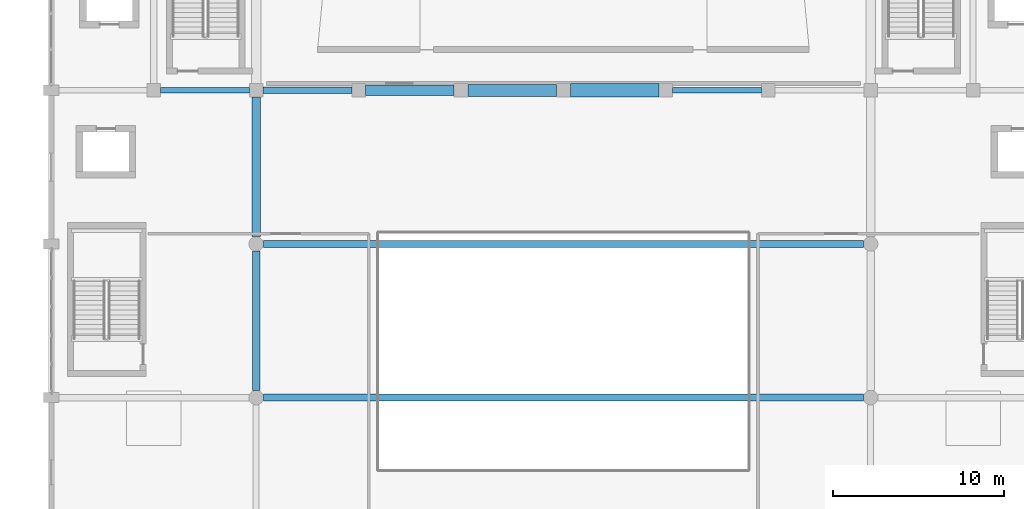
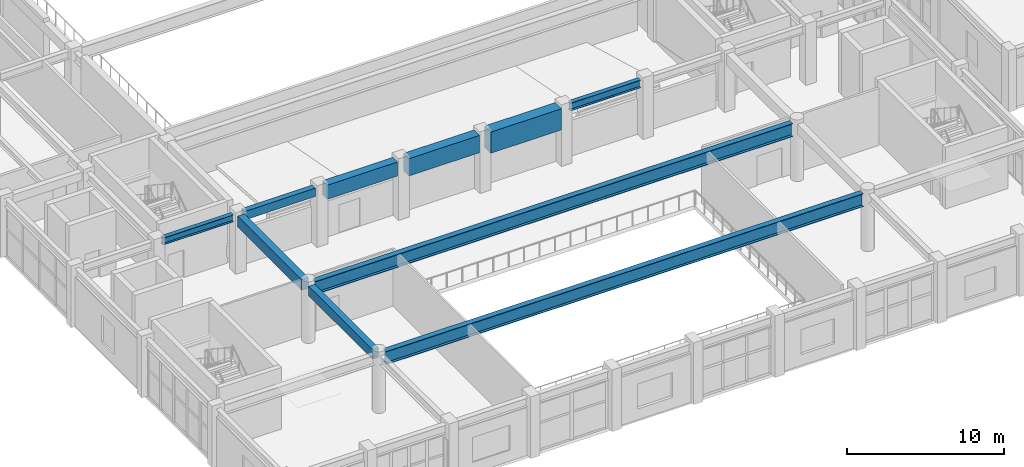
# One storey, part 22 of 96: 10 beams.
"""IFC4 building model written with IfcOpenShell, lengths in metres."""

import ifcopenshell
import ifcopenshell.guid

model = None  # the IFC model being written
_history = None  # IfcOwnerHistory: only IFC2X3 demands one
_inside = {}  # id of a spatial element -> (the spatial element, [elements in it])
_under = {}  # id of a project, library or spatial element -> (it, [spatial elements below it])
_declared = {}  # id of a project -> (the project, [libraries it declares])
_typed = {}  # id of a type object -> (the type object, [elements of that type])
_made_of = {}  # id of a material, layer set ... -> (it, [elements and type objects made of it])


def new_model(schema):
    """Start an empty IFC model of exactly this schema.

    Asked for "IFC4X3", IfcOpenShell would pick the latest addendum, in which some entities
    have other attributes; the version numbers below select the first issue.
    IFC2X3 requires an IfcOwnerHistory on every rooted entity: one is made here for all.
    """
    global model, _history
    if schema == "IFC4X3":
        model = ifcopenshell.file(schema_version=(4, 3, 0, 0))
    else:
        model = ifcopenshell.file(schema=schema)
    _inside.clear()
    _under.clear()
    _declared.clear()
    _typed.clear()
    _made_of.clear()
    _history = None
    if model.schema == "IFC2X3":
        org = make("IfcOrganization", Name="unknown")
        user = make(
            "IfcPersonAndOrganization",
            ThePerson=make("IfcPerson", FamilyName="unknown"),
            TheOrganization=org,
        )
        app = make(
            "IfcApplication",
            ApplicationDeveloper=org,
            Version="unknown",
            ApplicationFullName="unknown",
            ApplicationIdentifier="unknown",
        )
        _history = make(
            "IfcOwnerHistory",
            OwningUser=user,
            OwningApplication=app,
            ChangeAction="ADDED",
            CreationDate=0,
        )
    return model


def make(cls, **values):
    """One entity of the class cls with the attributes given. An attribute that is None is left unset."""
    return model.create_entity(
        cls, **{name: value for name, value in values.items() if value is not None}
    )


def rooted(cls, **values):
    """An entity with a GlobalId (a new one), such as an element, a storey or a relation."""
    return make(cls, GlobalId=ifcopenshell.guid.new(), OwnerHistory=_history, **values)


def si_unit(unit_type, name, prefix=None):
    """IfcSIUnit, for example si_unit("LENGTHUNIT", "METRE", prefix="MILLI")."""
    return make("IfcSIUnit", UnitType=unit_type, Prefix=prefix, Name=name)


def assignment(units):
    """IfcUnitAssignment: the units of a project."""
    return None if units is None else make("IfcUnitAssignment", Units=units)


def point(xyz):
    """IfcCartesianPoint."""
    return None if xyz is None else make("IfcCartesianPoint", Coordinates=xyz)


def direction(xyz):
    """IfcDirection."""
    return None if xyz is None else make("IfcDirection", DirectionRatios=xyz)


def frame(location, z_axis=None, x_axis=None):
    """IfcAxis2Placement3D, a coordinate frame: its origin and axes. An axis left out is left unset."""
    return make(
        "IfcAxis2Placement3D",
        Location=point(location),
        Axis=direction(z_axis),
        RefDirection=direction(x_axis),
    )


def frame_2d(location, x_axis=None):
    """IfcAxis2Placement2D, a coordinate frame in the plane: its origin and x axis."""
    return make(
        "IfcAxis2Placement2D", Location=point(location), RefDirection=direction(x_axis)
    )


def origin():
    """The frame at (0, 0, 0) with its axes left unset."""
    return frame((0.0, 0.0, 0.0))


def origin_2d():
    """The frame at (0, 0) in the plane with its x axis left unset."""
    return frame_2d((0.0, 0.0))


def place(relative_to, where):
    """IfcLocalPlacement: puts the frame where relative to a parent placement (None: the world)."""
    return make(
        "IfcLocalPlacement", PlacementRelTo=relative_to, RelativePlacement=where
    )


def context(
    kind, dimensions, precision=None, world=None, true_north=None, identifier=None
):
    """IfcGeometricRepresentationContext, for example the 3D "Model" context."""
    return make(
        "IfcGeometricRepresentationContext",
        ContextIdentifier=identifier,
        ContextType=kind,
        CoordinateSpaceDimension=dimensions,
        Precision=precision,
        WorldCoordinateSystem=world,
        TrueNorth=true_north,
    )


def subcontext(parent, identifier, kind, view, scale=None):
    """IfcGeometricRepresentationSubContext, for example "Body" below "Model"."""
    return make(
        "IfcGeometricRepresentationSubContext",
        ContextIdentifier=identifier,
        ContextType=kind,
        ParentContext=parent,
        TargetScale=scale,
        TargetView=view,
    )


def project(units=None, contexts=None):
    """IfcProject with its units and contexts."""
    return rooted(
        "IfcProject",
        Name="project",
        RepresentationContexts=contexts,
        UnitsInContext=assignment(units),
    )


def spatial(cls, under=None, at=None, **own):
    """A site, building, storey or space (cls), placed at a placement, below another one or the project."""
    s = rooted(cls, ObjectPlacement=at, **own)
    if under is not None:
        _under.setdefault(under.id(), (under, []))[1].append(s)
    return s


def profile(cls, at=None, kind="AREA", **sizes):
    """A parametric profile (cls). Its sizes go by their IFC names, for example OverallWidth=200.0."""
    return make(cls, ProfileType=kind, Position=at, **sizes)


def rectangle(**sizes):
    """IfcRectangleProfileDef."""
    return profile("IfcRectangleProfileDef", **sizes)


def i_section(**sizes):
    """IfcIShapeProfileDef."""
    return profile("IfcIShapeProfileDef", **sizes)


def extrude(swept, where, along, depth):
    """IfcExtrudedAreaSolid: the profile swept, set in the frame where, extruded along a direction by depth."""
    return make(
        "IfcExtrudedAreaSolid",
        SweptArea=swept,
        Position=where,
        ExtrudedDirection=direction(along),
        Depth=depth,
    )


def shape(context_of_items, identifier, shape_type, items):
    """IfcShapeRepresentation: the items that make up one representation, for example the "Body"."""
    return make(
        "IfcShapeRepresentation",
        ContextOfItems=context_of_items,
        RepresentationIdentifier=identifier,
        RepresentationType=shape_type,
        Items=items,
    )


def material(Name=None, Category=None):
    """IfcMaterial."""
    return make("IfcMaterial", Name=Name, Category=Category)


def material_profile(
    of_material, cross_section, Name=None, Category=None, Priority=None
):
    """IfcMaterialProfile: a cross section and its material."""
    return make(
        "IfcMaterialProfile",
        Name=Name,
        Material=of_material,
        Profile=cross_section,
        Priority=Priority,
        Category=Category,
    )


def profile_set(profiles, Name=None, composite=None):
    """IfcMaterialProfileSet."""
    return make(
        "IfcMaterialProfileSet",
        Name=Name,
        MaterialProfiles=profiles,
        CompositeProfile=composite,
    )


def made_of(thing, what):
    """Note that an element or type object is made of a material, layer set ...; save() writes the relation."""
    if what is not None:
        _made_of.setdefault(what.id(), (what, []))[1].append(thing)
    return thing


def type_object(cls, material=None, **own):
    """A type object (cls), such as IfcWallType, which elements share."""
    return made_of(rooted(cls, **own), material)


def element(
    cls,
    number,
    at=None,
    inside=None,
    cuts=None,
    type_object=None,
    material=None,
    context=None,
    identifier="Body",
    shape_type=None,
    held_by="IfcProductDefinitionShape",
    body=None,
    shapes=None,
    **own,
):
    """One element of the class cls, such as IfcWall. Its Tag is "e" and its number.

    at: its placement. inside: the storey or other place that contains it. cuts: it is an
    opening in that element (IfcRelVoidsElement). A single representation is given by context,
    identifier, shape_type and body (its items); several are given by shapes. held_by: the class
    of the entity that holds the representations. save() writes the other relations.
    """
    e = rooted(cls, Tag="e%d" % number, ObjectPlacement=at, **own)
    if body is not None:
        shapes = [shape(context, identifier, shape_type, body)]
    if shapes is not None:
        e.Representation = make(held_by, Representations=shapes)
    if inside is not None:
        _inside.setdefault(inside.id(), (inside, []))[1].append(e)
    if cuts is not None:
        rooted(
            "IfcRelVoidsElement", RelatingBuildingElement=cuts, RelatedOpeningElement=e
        )
    if type_object is not None:
        _typed.setdefault(type_object.id(), (type_object, []))[1].append(e)
    return made_of(e, material)


def aggregate(whole, parts):
    """IfcRelAggregates: a whole, such as a stair, and the parts it consists of."""
    return rooted("IfcRelAggregates", RelatingObject=whole, RelatedObjects=parts)


def save(model, path):
    """Write the relations noted so far, then the file.

    IfcRelAggregates (storeys below a building ...), IfcRelContainedInSpatialStructure (elements
    in a storey), IfcRelDefinesByType, IfcRelAssociatesMaterial and IfcRelDeclares: one each for
    every whole, place, type object, material and project.
    """
    for whole, parts in _under.values():
        aggregate(whole, parts)
    for where, things in _inside.values():
        rooted(
            "IfcRelContainedInSpatialStructure",
            RelatedElements=things,
            RelatingStructure=where,
        )
    for kind, things in _typed.values():
        rooted("IfcRelDefinesByType", RelatedObjects=things, RelatingType=kind)
    for what, things in _made_of.values():
        rooted("IfcRelAssociatesMaterial", RelatedObjects=things, RelatingMaterial=what)
    for by, libraries in _declared.values():
        rooted("IfcRelDeclares", RelatingContext=by, RelatedDefinitions=libraries)
    model.write(path)


model = new_model("IFC4")

# Units and contexts
model_context = context("Model", 3, precision=1e-05, world=origin(), true_north=direction((0.0, 1.0)))
body_context = subcontext(model_context, "Body", "Model", "MODEL_VIEW")
ifc_project = project(units=[si_unit("LENGTHUNIT", "METRE"), si_unit("AREAUNIT", "SQUARE_METRE"), si_unit("VOLUMEUNIT", "CUBIC_METRE"), si_unit("PLANEANGLEUNIT", "RADIAN"), si_unit("MASSUNIT", "GRAM", prefix="KILO")], contexts=[model_context])

# Site, building, storey
site_placement = place(None, origin())
site = spatial("IfcSite", under=ifc_project, at=site_placement, CompositionType="ELEMENT")
building_placement = place(site_placement, origin())
building = spatial("IfcBuilding", under=site, at=building_placement, Name="Vaelkrest Opera House", CompositionType="ELEMENT")
storey_placement = place(building_placement, frame((0.0, 0.0, 5.39990234375)))
storey = spatial("IfcBuildingStorey", under=building, at=storey_placement, Name="L01", CompositionType="ELEMENT", Elevation=5.39990234375)

# Beams
ifc_material_1 = material(Name="Concrete C50/60", Category="concrete")
ifc_material_profile_1 = material_profile(ifc_material_1, rectangle(XDim=0.39990234375, YDim=0.64990234375, at=origin_2d()), Name="RCB400X650")
ifc_profile_set_1 = profile_set([ifc_material_profile_1], Name="Concrete C50/60")
beam_type_1 = type_object("IfcBeamType", Name="B01", PredefinedType="BEAM", material=ifc_profile_set_1)
beam_1_placement = place(storey_placement, frame((-17.60009765625, -28.800048828125, 4.175048828125), z_axis=(1.0, 0.0, 0.0), x_axis=(0.0, 1.0, 0.0)))
element("IfcBeam", 1, at=beam_1_placement, inside=storey, type_object=beam_type_1, Name="Beam BM-V1-L01-0221", PredefinedType="BEAM", context=body_context, shape_type="SweptSolid", body=[
    extrude(rectangle(XDim=0.39990234375, YDim=0.64990234375, at=origin_2d()), origin(), (0.0, 0.0, 1.0), 5.2001953125),
])
ifc_material_profile_2 = material_profile(ifc_material_1, rectangle(XDim=0.449951171875, YDim=0.75, at=origin_2d()), Name="RCB450X750")
ifc_profile_set_2 = profile_set([ifc_material_profile_2], Name="Concrete C50/60")
beam_type_2 = type_object("IfcBeamType", Name="B02", PredefinedType="BEAM", material=ifc_profile_set_2)
beam_2_placement = place(storey_placement, frame((-18.0, -46.375, 4.125), z_axis=(0.0, 1.0, 0.0), x_axis=(-1.0, 0.0, 0.0)))
element("IfcBeam", 2, at=beam_2_placement, inside=storey, type_object=beam_type_2, Name="Beam BM-V1-L01-0271", PredefinedType="BEAM", context=body_context, shape_type="SweptSolid", body=[
    extrude(rectangle(XDim=0.449951171875, YDim=0.75, at=origin_2d()), origin(), (0.0, 0.0, 1.0), 8.14990234375),
])
ifc_material_profile_3 = material_profile(ifc_material_1, rectangle(XDim=0.5, YDim=0.85009765625, at=origin_2d()), Name="RCB500X850")
ifc_profile_set_3 = profile_set([ifc_material_profile_3], Name="Concrete C50/60")
beam_type_3 = type_object("IfcBeamType", Name="B03", PredefinedType="BEAM", material=ifc_profile_set_3)
beam_3_placement = place(storey_placement, frame((-18.0, -37.375, 4.0751953125), z_axis=(0.0, 1.0, 0.0), x_axis=(-1.0, 0.0, 0.0)))
element("IfcBeam", 3, at=beam_3_placement, inside=storey, type_object=beam_type_3, Name="Beam BM-V1-L01-0272", PredefinedType="BEAM", context=body_context, shape_type="SweptSolid", body=[
    extrude(rectangle(XDim=0.5, YDim=0.85009765625, at=origin_2d()), origin(), (0.0, 0.0, 1.0), 8.175048828125),
])
ifc_material_profile_4 = material_profile(ifc_material_1, rectangle(XDim=0.60009765625, YDim=1.10009765625, at=origin_2d()), Name="RCB600X1100")
ifc_profile_set_4 = profile_set([ifc_material_profile_4], Name="Concrete C50/60")
beam_type_4 = type_object("IfcBeamType", Name="B05", PredefinedType="BEAM", material=ifc_profile_set_4)
beam_4_placement = place(storey_placement, frame((-11.60009765625, -28.800048828125, 3.9501953125), z_axis=(1.0, 0.0, 0.0), x_axis=(0.0, 1.0, 0.0)))
element("IfcBeam", 4, at=beam_4_placement, inside=storey, type_object=beam_type_4, Name="Beam BM-V1-L01-0222", PredefinedType="BEAM", context=body_context, shape_type="SweptSolid", body=[
    extrude(rectangle(XDim=0.60009765625, YDim=1.10009765625, at=origin_2d()), origin(), (0.0, 0.0, 1.0), 5.2001953125),
])
ifc_material_profile_5 = material_profile(ifc_material_1, rectangle(XDim=0.699951171875, YDim=1.35009765625, at=origin_2d()), Name="RCB700X1350")
ifc_profile_set_5 = profile_set([ifc_material_profile_5], Name="Concrete C50/60")
beam_type_5 = type_object("IfcBeamType", Name="B06", PredefinedType="BEAM", material=ifc_profile_set_5)
beam_5_placement = place(storey_placement, frame((-5.60009765625, -28.800048828125, 3.8251953125), z_axis=(1.0, 0.0, 0.0), x_axis=(0.0, 1.0, 0.0)))
element("IfcBeam", 5, at=beam_5_placement, inside=storey, type_object=beam_type_5, Name="Beam BM-V1-L01-0223", PredefinedType="BEAM", context=body_context, shape_type="SweptSolid", body=[
    extrude(rectangle(XDim=0.699951171875, YDim=1.35009765625, at=origin_2d()), origin(), (0.0, 0.0, 1.0), 5.2001953125),
])
ifc_material_profile_6 = material_profile(ifc_material_1, rectangle(XDim=0.800048828125, YDim=1.64990234375, at=origin_2d()), Name="RCB800X1650")
ifc_profile_set_6 = profile_set([ifc_material_profile_6], Name="Concrete C50/60")
beam_type_6 = type_object("IfcBeamType", Name="B07", PredefinedType="BEAM", material=ifc_profile_set_6)
beam_6_placement = place(storey_placement, frame((0.39990234375, -28.800048828125, 3.675048828125), z_axis=(1.0, 0.0, 0.0), x_axis=(0.0, 1.0, 0.0)))
element("IfcBeam", 6, at=beam_6_placement, inside=storey, type_object=beam_type_6, Name="Beam BM-V1-L01-0224", PredefinedType="BEAM", context=body_context, shape_type="SweptSolid", body=[
    extrude(rectangle(XDim=0.800048828125, YDim=1.64990234375, at=origin_2d()), origin(), (0.0, 0.0, 1.0), 5.2001953125),
])
ifc_material_2 = material(Name="Steel A992 Gr50", Category="steel")
ifc_material_profile_7 = material_profile(ifc_material_2, i_section(OverallWidth=0.323974609375, OverallDepth=0.611083984375, WebThickness=0.0126953125, FlangeThickness=0.01904296875, at=origin_2d()), Name="W24X104")
ifc_profile_set_7 = profile_set([ifc_material_profile_7], Name="Steel A992 Gr50")
beam_type_7 = type_object("IfcBeamType", Name="B08", PredefinedType="BEAM", material=ifc_profile_set_7)
beam_7_placement = place(storey_placement, frame((6.39990234375, -28.800048828125, 4.194580078125), z_axis=(1.0, 0.0, 0.0), x_axis=(0.0, 1.0, 0.0)))
element("IfcBeam", 7, at=beam_7_placement, inside=storey, type_object=beam_type_7, Name="Beam BM-V1-L01-0225", PredefinedType="BEAM", context=body_context, shape_type="SweptSolid", body=[
    extrude(i_section(OverallWidth=0.323974609375, OverallDepth=0.611083984375, WebThickness=0.0126953125, FlangeThickness=0.01904296875, at=origin_2d()), origin(), (0.0, 0.0, 1.0), 5.2001953125),
])
ifc_material_profile_8 = material_profile(ifc_material_2, i_section(OverallWidth=0.39990234375, OverallDepth=1.02197265625, WebThickness=0.01904296875, FlangeThickness=0.0361328125, at=origin_2d()), Name="W40X249")
ifc_profile_set_8 = profile_set([ifc_material_profile_8], Name="Steel A992 Gr50")
beam_type_8 = type_object("IfcBeamType", Name="B15", PredefinedType="BEAM", material=ifc_profile_set_8)
for number, where, z_axis, x_axis, name in (
    (8, (-17.574951171875, -46.800048828125, 3.989013671875), (1.0, 0.0, 0.0), (0.0, 1.0, 0.0), "Beam BM-V1-L01-0216"),
    (9, (-17.574951171875, -37.800048828125, 3.989013671875), (1.0, 0.0, 0.0), (0.0, 1.0, 0.0), "Beam BM-V1-L01-0218"),
):
    element("IfcBeam", number, at=place(storey_placement, frame(where, z_axis=z_axis, x_axis=x_axis)), inside=storey, type_object=beam_type_8, Name=name, PredefinedType="BEAM", context=body_context, shape_type="SweptSolid", body=[
        extrude(i_section(OverallWidth=0.39990234375, OverallDepth=1.02197265625, WebThickness=0.01904296875, FlangeThickness=0.0361328125, at=origin_2d()), origin(), (0.0, 0.0, 1.0), 35.14990234375),
    ])
ifc_material_profile_9 = material_profile(ifc_material_2, i_section(OverallWidth=0.31494140625, OverallDepth=0.551025390625, WebThickness=0.01513671875, FlangeThickness=0.0244140625, at=origin_2d()), Name="W21X122")
ifc_profile_set_9 = profile_set([ifc_material_profile_9], Name="Steel A992 Gr50")
beam_type_9 = type_object("IfcBeamType", Name="B20", PredefinedType="BEAM", material=ifc_profile_set_9)
beam_8_placement = place(storey_placement, frame((-23.60009765625, -28.800048828125, 4.224609375), z_axis=(1.0, 0.0, 0.0), x_axis=(0.0, 1.0, 0.0)))
element("IfcBeam", 10, at=beam_8_placement, inside=storey, type_object=beam_type_9, Name="Beam BM-V1-L01-0220", PredefinedType="BEAM", context=body_context, shape_type="SweptSolid", body=[
    extrude(i_section(OverallWidth=0.31494140625, OverallDepth=0.551025390625, WebThickness=0.01513671875, FlangeThickness=0.0244140625, at=origin_2d()), origin(), (0.0, 0.0, 1.0), 5.2001953125),
])

save(model, "model.ifc")
